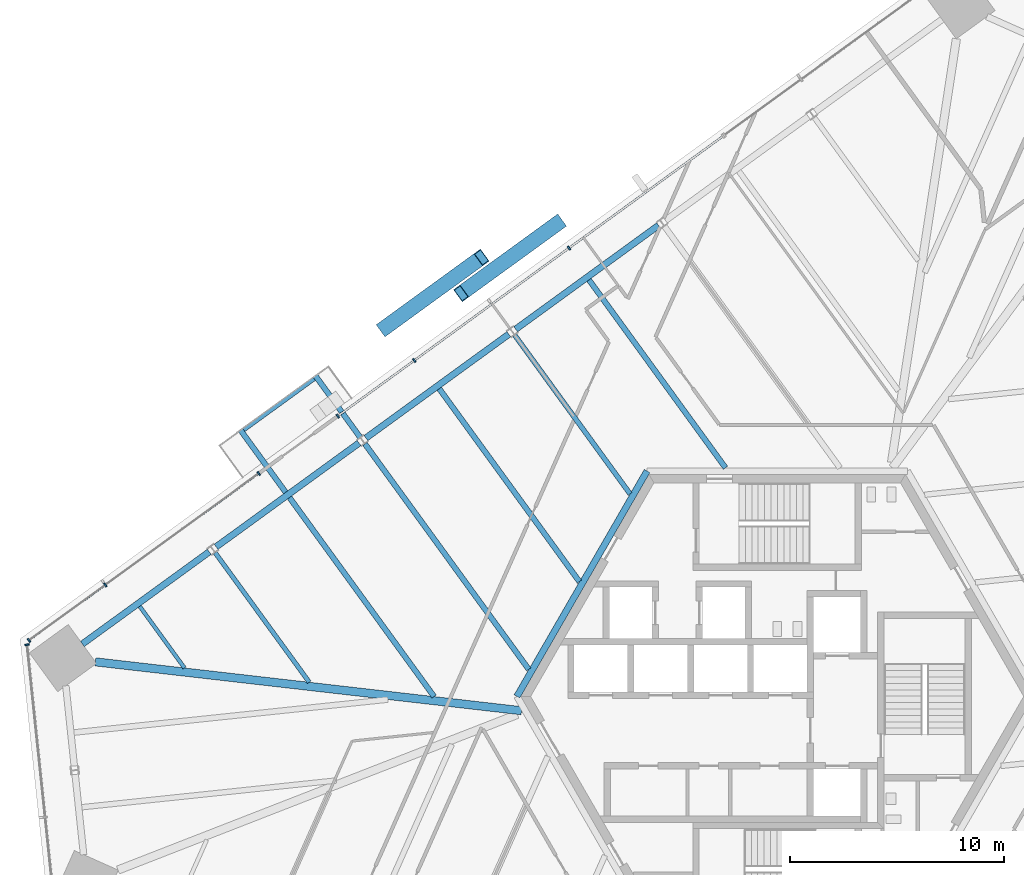
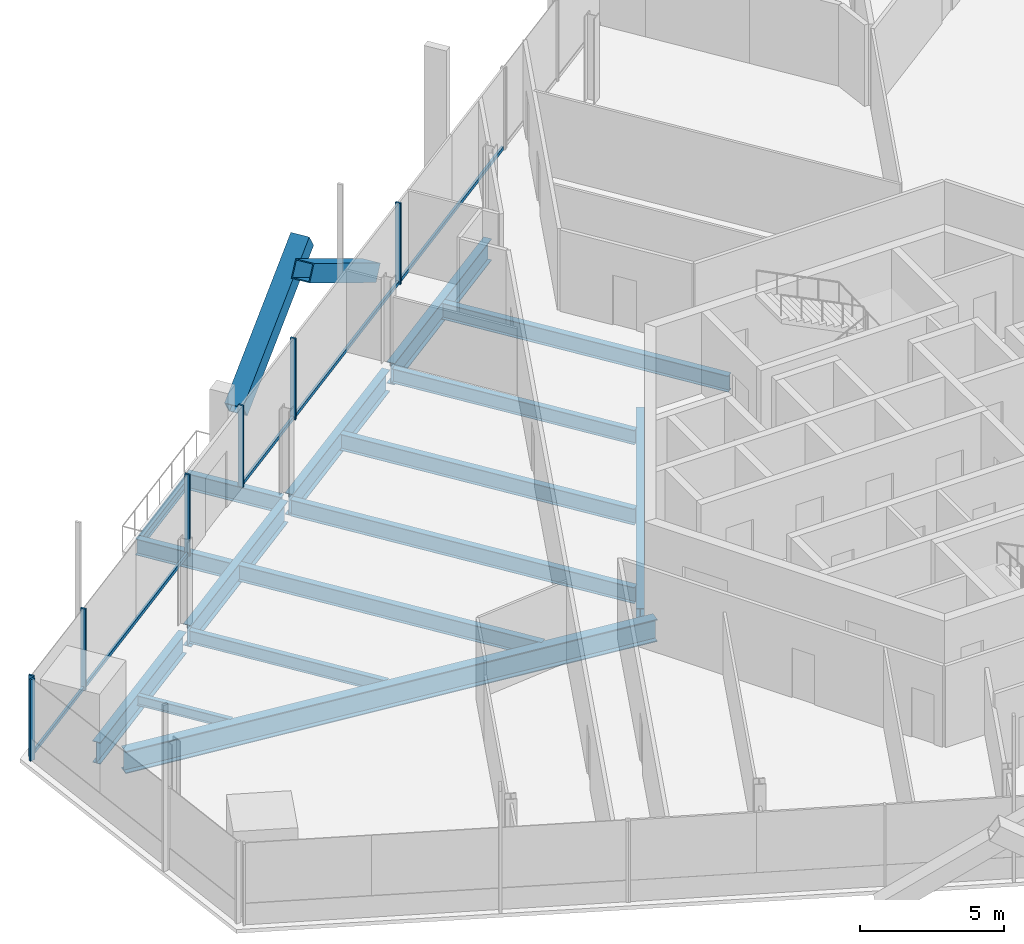
# One storey, part 7 of 21: 16 beams, 14 members, 3 elements without a shape of their own.
"""IFC4 building model written with IfcOpenShell, lengths in metres."""

from ifc_helpers import new_model, si_unit, direction, frame, origin, origin_2d, place, context, subcontext, project, spatial, rectangle, hollow_rectangle, i_section, extrude, source, transform, mapped, material, material_profile, profile_set, type_object, element, aggregate, save


model = new_model("IFC4")

# Units and contexts
model_context = context("Model", 3, precision=1e-05, world=origin(), true_north=direction((0.0, 1.0)))
body_context = subcontext(model_context, "Body", "Model", "MODEL_VIEW")
ifc_project = project(units=[si_unit("LENGTHUNIT", "METRE"), si_unit("AREAUNIT", "SQUARE_METRE"), si_unit("VOLUMEUNIT", "CUBIC_METRE"), si_unit("PLANEANGLEUNIT", "RADIAN"), si_unit("MASSUNIT", "GRAM", prefix="KILO")], contexts=[model_context])

# Site, building, storey
site_placement = place(None, origin())
site = spatial("IfcSite", under=ifc_project, at=site_placement, CompositionType="ELEMENT")
building_placement = place(site_placement, origin())
building = spatial("IfcBuilding", under=site, at=building_placement, Name="Triune Harvest Tower", CompositionType="ELEMENT")
storey_placement = place(building_placement, frame((0.0, 0.0, 72.89990234375)))
storey = spatial("IfcBuildingStorey", under=building, at=storey_placement, Name="L17", CompositionType="ELEMENT", Elevation=72.89990234375)

# Curtain wall, member
ifc_material_1 = material(Name="Aluminium bronze anodised", Category="aluminium")
curtain_wall_type_1 = type_object("IfcCurtainWallType", Name="CW-10 Balcony window wall with insulated spandrel infill", PredefinedType="NOTDEFINED", material=ifc_material_1)
curtain_wall_1_placement = place(storey_placement, origin())
curtain_wall_1 = element("IfcCurtainWall", 1, at=curtain_wall_1_placement, inside=storey, type_object=curtain_wall_type_1, Name="CW-10 B2-F3 L17 run 1001")
ifc_material_2 = material(Name="Aluminium bronze anodised", Category="aluminium")
ifc_material_profile_1 = material_profile(ifc_material_2, rectangle(XDim=0.090087890625, YDim=0.14990234375, at=origin_2d()), Name="TR-6 transom 90 x 150")
ifc_profile_set_1 = profile_set([ifc_material_profile_1], Name="Aluminium bronze anodised")
member_type_1 = type_object("IfcMemberType", Name="TR-6 transom 90 x 150", PredefinedType="USERDEFINED", material=ifc_profile_set_1)
member_1_placement = place(storey_placement, frame((-9.77001953125, 20.95751953125, 0.0751953125), z_axis=(-0.809016772432, -0.58778555777, 0.0), x_axis=(0.58778555777, -0.809016772432, 0.0)))
member_1 = element("IfcMember", 2, at=member_1_placement, type_object=member_type_1, Name="CW-10 transom B2-F3 1001.2", ObjectType="TRANSOM", PredefinedType="USERDEFINED", context=body_context, shape_type="SweptSolid", body=[
    extrude(rectangle(XDim=0.090087890625, YDim=0.14990234375, at=origin_2d()), origin(), (0.0, 0.0, 1.0), 8.873779296875),
])

ifc_material_3 = material(Name="Aluminium bronze anodised", Category="aluminium")
curtain_wall_type_2 = type_object("IfcCurtainWallType", Name="CW-6 Balcony window wall", PredefinedType="NOTDEFINED", material=ifc_material_3)
curtain_wall_2_placement = place(storey_placement, origin())
curtain_wall_2 = element("IfcCurtainWall", 3, at=curtain_wall_2_placement, inside=storey, type_object=curtain_wall_type_2, Name="CW-6 B2-F3 L17 run 2")
member_2_placement = place(storey_placement, frame((-31.4677734375, 5.193359375, 0.0751953125), z_axis=(-0.809008266699, -0.587797264721, 0.0), x_axis=(0.587797264721, -0.809008266699, 0.0)))
member_2 = element("IfcMember", 4, at=member_2_placement, type_object=member_type_1, Name="CW-6 transom B2-F3 2.2", ObjectType="TRANSOM", PredefinedType="USERDEFINED", context=body_context, shape_type="SweptSolid", body=[
    extrude(rectangle(XDim=0.090087890625, YDim=0.14990234375, at=origin_2d()), origin(), (0.0, 0.0, 1.0), 4.3427734375),
])

# Beams
ifc_material_4 = material(Name="Steel ASTM A992 Gr 50", Category="steel")
ifc_material_profile_2 = material_profile(ifc_material_4, i_section(OverallWidth=0.3046875, OverallDepth=0.914306640625, WebThickness=0.0166015625, FlangeThickness=0.02587890625, at=origin_2d()), Name="W36x160")
ifc_profile_set_2 = profile_set([ifc_material_profile_2], Name="Steel ASTM A992 Gr 50")
beam_type_1 = type_object("IfcBeamType", Name="CG-1 Core ring girder W36x160", PredefinedType="BEAM", material=ifc_profile_set_2)
shared_shape_1 = source(origin(), body_context, "Body", "SweptSolid", [
    extrude(i_section(OverallWidth=0.3046875, OverallDepth=0.914306640625, WebThickness=0.0166015625, FlangeThickness=0.02587890625, at=origin_2d()), origin(), (0.0, 0.0, 1.0), 12.176025390625),
])
beam_1_placement = place(storey_placement, frame((-6.087890625, 10.544677734375, -0.6171875), z_axis=(-0.5000099932, -0.866019634131, 0.0), x_axis=(0.866019634131, -0.5000099932, 0.0)))
element("IfcBeam", 5, at=beam_1_placement, inside=storey, type_object=beam_type_1, Name="beam/L17/CG3", PredefinedType="BEAM", context=body_context, shape_type="MappedRepresentation", body=[
    mapped(shared_shape_1, transform((0.0, 0.0, 0.0), scale=1.0)),
])
ifc_material_5 = material(Name="Steel ASTM A992 Gr 50", Category="steel")
ifc_material_profile_3 = material_profile(ifc_material_5, i_section(OverallWidth=0.3046875, OverallDepth=0.914306640625, WebThickness=0.0166015625, FlangeThickness=0.02587890625, at=origin_2d()), Name="W36x160")
ifc_profile_set_3 = profile_set([ifc_material_profile_3], Name="Steel ASTM A992 Gr 50")
beam_type_2 = type_object("IfcBeamType", Name="SB-1 Spandrel beam W36x160", PredefinedType="SPANDREL", material=ifc_profile_set_3)
shared_shape_2 = source(origin(), body_context, "Body", "SweptSolid", [
    extrude(i_section(OverallWidth=0.3046875, OverallDepth=0.914306640625, WebThickness=0.0166015625, FlangeThickness=0.02587890625, at=origin_2d()), origin(), (0.0, 0.0, 1.0), 7.337890625),
])
beam_2_placement = place(storey_placement, frame((-26.574951171875, 6.763916015625, -0.6171875), z_axis=(-0.80902661548, -0.58777200975, 0.0), x_axis=(0.58777200975, -0.80902661548, 0.0)))
element("IfcBeam", 6, at=beam_2_placement, inside=storey, type_object=beam_type_2, Name="beam/L17/SB14", PredefinedType="SPANDREL", context=body_context, shape_type="MappedRepresentation", body=[
    mapped(shared_shape_2, transform((0.0, 0.0, 0.0), scale=1.0)),
])
shared_shape_3 = source(origin(), body_context, "Body", "SweptSolid", [
    extrude(i_section(OverallWidth=0.3046875, OverallDepth=0.914306640625, WebThickness=0.0166015625, FlangeThickness=0.02587890625, at=origin_2d()), origin(), (0.0, 0.0, 1.0), 8.263427734375),
])
for number, where, z_axis, x_axis, name in (
    (7, (-5.55126953125, 22.03857421875, -0.6171875), (-0.809015786763, -0.587786914424, 0.0), (0.587786914424, -0.809015786763, 0.0), "beam/L17/SB11"),
    (8, (-12.55908203125, 16.947021484375, -0.6171875), (-0.809015786763, -0.587786914424, 0.0), (0.587786914424, -0.809015786763, 0.0), "beam/L17/SB12"),
    (9, (-19.56689453125, 11.85546875, -0.6171875), (-0.809015786763, -0.587786914424, 0.0), (0.587786914424, -0.809015786763, 0.0), "beam/L17/SB13"),
):
    element("IfcBeam", number, at=place(storey_placement, frame(where, z_axis=z_axis, x_axis=x_axis)), inside=storey, type_object=beam_type_2, Name=name, PredefinedType="SPANDREL", context=body_context, shape_type="MappedRepresentation", body=[
        mapped(shared_shape_3, transform((0.0, 0.0, 0.0), scale=1.0)),
    ])
ifc_material_6 = material(Name="Steel ASTM A992 Gr 50", Category="steel")
ifc_material_profile_4 = material_profile(ifc_material_6, i_section(OverallWidth=0.383544921875, OverallDepth=0.9423828125, WebThickness=0.022216796875, FlangeThickness=0.039794921875, at=origin_2d()), Name="W36x232")
ifc_profile_set_4 = profile_set([ifc_material_profile_4], Name="Steel ASTM A992 Gr 50")
beam_type_3 = type_object("IfcBeamType", Name="HG-1 Hip girder W36x232", PredefinedType="BEAM", material=ifc_profile_set_4)
shared_shape_4 = source(origin(), body_context, "Body", "SweptSolid", [
    extrude(i_section(OverallWidth=0.383544921875, OverallDepth=0.9423828125, WebThickness=0.022216796875, FlangeThickness=0.039794921875, at=origin_2d()), origin(), (0.0, 0.0, 1.0), 20.070556640625),
])
beam_3_placement = place(storey_placement, frame((-31.904541015625, 1.61572265625, -0.631103515625), z_axis=(0.993487545287, -0.113940762503, 0.0), x_axis=(0.113940762503, 0.993487545287, 0.0)))
element("IfcBeam", 10, at=beam_3_placement, inside=storey, type_object=beam_type_3, Name="beam/L17/HG5", PredefinedType="BEAM", context=body_context, shape_type="MappedRepresentation", body=[
    mapped(shared_shape_4, transform((0.0, 0.0, 0.0), scale=1.0)),
])
ifc_material_7 = material(Name="Steel ASTM A992 Gr 50", Category="steel")
ifc_material_profile_5 = material_profile(ifc_material_7, i_section(OverallWidth=0.22900390625, OverallDepth=0.612060546875, WebThickness=0.011962890625, FlangeThickness=0.01953125, at=origin_2d()), Name="W24x84")
ifc_profile_set_5 = profile_set([ifc_material_profile_5], Name="Steel ASTM A992 Gr 50")
beam_type_4 = type_object("IfcBeamType", Name="JT-3 Floor joist W24x84", PredefinedType="JOIST", material=ifc_profile_set_5)
shared_shape_5 = source(origin(), body_context, "Body", "SweptSolid", [
    extrude(i_section(OverallWidth=0.22900390625, OverallDepth=0.612060546875, WebThickness=0.011962890625, FlangeThickness=0.01953125, at=origin_2d()), origin(), (0.0, 0.0, 1.0), 9.186279296875),
])
beam_4_placement = place(storey_placement, frame((-12.2822265625, 16.905029296875, -0.466064453125), z_axis=(0.58779079947, -0.809012964085, 0.0), x_axis=(0.809012964085, 0.58779079947, 0.0)))
element("IfcBeam", 11, at=beam_4_placement, inside=storey, type_object=beam_type_4, Name="beam/L17/JT19", PredefinedType="JOIST", context=body_context, shape_type="MappedRepresentation", body=[
    mapped(shared_shape_5, transform((0.0, 0.0, 0.0), scale=1.0)),
])
ifc_material_8 = material(Name="Steel ASTM A992 Gr 50", Category="steel")
ifc_material_profile_6 = material_profile(ifc_material_8, i_section(OverallWidth=0.253662109375, OverallDepth=0.683349609375, WebThickness=0.012451171875, FlangeThickness=0.01904296875, at=origin_2d()), Name="W27x94")
ifc_profile_set_6 = profile_set([ifc_material_profile_6], Name="Steel ASTM A992 Gr 50")
beam_type_5 = type_object("IfcBeamType", Name="JT-4 Floor joist W27x94", PredefinedType="JOIST", material=ifc_profile_set_6)
shared_shape_6 = source(origin(), body_context, "Body", "SweptSolid", [
    extrude(i_section(OverallWidth=0.253662109375, OverallDepth=0.683349609375, WebThickness=0.012451171875, FlangeThickness=0.01904296875, at=origin_2d()), origin(), (0.0, 0.0, 1.0), 11.158935546875),
])
beam_5_placement = place(storey_placement, frame((-15.812255859375, 14.395263671875, -0.50146484375), z_axis=(0.58778396925, -0.809017926558, 0.0), x_axis=(0.809017926558, 0.58778396925, 0.0)))
element("IfcBeam", 12, at=beam_5_placement, inside=storey, type_object=beam_type_5, Name="beam/L17/JT20", PredefinedType="JOIST", context=body_context, shape_type="MappedRepresentation", body=[
    mapped(shared_shape_6, transform((0.0, 0.0, 0.0), scale=1.0)),
])
shared_shape_7 = source(origin(), body_context, "Body", "SweptSolid", [
    extrude(i_section(OverallWidth=0.253662109375, OverallDepth=0.683349609375, WebThickness=0.012451171875, FlangeThickness=0.01904296875, at=origin_2d()), origin(), (0.0, 0.0, 1.0), 10.86474609375),
])
beam_6_placement = place(storey_placement, frame((-8.804443359375, 19.48681640625, -0.50146484375), z_axis=(0.587789508047, -0.809013902371, 0.0), x_axis=(0.809013902371, 0.587789508047, 0.0)))
element("IfcBeam", 13, at=beam_6_placement, inside=storey, type_object=beam_type_5, Name="beam/L17/JT18", PredefinedType="JOIST", context=body_context, shape_type="MappedRepresentation", body=[
    mapped(shared_shape_7, transform((0.0, 0.0, 0.0), scale=1.0)),
])
shared_shape_8 = source(origin(), body_context, "Body", "SweptSolid", [
    extrude(i_section(OverallWidth=0.253662109375, OverallDepth=0.683349609375, WebThickness=0.012451171875, FlangeThickness=0.01904296875, at=origin_2d()), origin(), (0.0, 0.0, 1.0), 13.042724609375),
])
beam_7_placement = place(storey_placement, frame((-19.2900390625, 11.8134765625, -0.50146484375), z_axis=(0.587795444635, -0.809009589107, 0.0), x_axis=(0.809009589107, 0.587795444635, 0.0)))
element("IfcBeam", 14, at=beam_7_placement, inside=storey, type_object=beam_type_5, Name="beam/L17/JT21", PredefinedType="JOIST", context=body_context, shape_type="MappedRepresentation", body=[
    mapped(shared_shape_8, transform((0.0, 0.0, 0.0), scale=1.0)),
])
shared_shape_9 = source(origin(), body_context, "Body", "SweptSolid", [
    extrude(i_section(OverallWidth=0.253662109375, OverallDepth=0.683349609375, WebThickness=0.012451171875, FlangeThickness=0.01904296875, at=origin_2d()), origin(), (0.0, 0.0, 1.0), 11.511474609375),
])
beam_8_placement = place(storey_placement, frame((-22.820068359375, 9.3037109375, -0.50146484375), z_axis=(0.587775656534, -0.809023966015, 0.0), x_axis=(0.809023966015, 0.587775656534, 0.0)))
element("IfcBeam", 15, at=beam_8_placement, inside=storey, type_object=beam_type_5, Name="beam/L17/JT22", PredefinedType="JOIST", context=body_context, shape_type="MappedRepresentation", body=[
    mapped(shared_shape_9, transform((0.0, 0.0, 0.0), scale=1.0)),
])
ifc_material_9 = material(Name="Steel ASTM A992 Gr 50", Category="steel")
ifc_material_profile_7 = material_profile(ifc_material_9, i_section(OverallWidth=0.2099609375, OverallDepth=0.535888671875, WebThickness=0.010986328125, FlangeThickness=0.017333984375, at=origin_2d()), Name="W21x68")
ifc_profile_set_7 = profile_set([ifc_material_profile_7], Name="Steel ASTM A992 Gr 50")
beam_type_6 = type_object("IfcBeamType", Name="JT-2 Floor joist W21x68", PredefinedType="JOIST", material=ifc_profile_set_7)
shared_shape_10 = source(origin(), body_context, "Body", "SweptSolid", [
    extrude(i_section(OverallWidth=0.2099609375, OverallDepth=0.535888671875, WebThickness=0.010986328125, FlangeThickness=0.017333984375, at=origin_2d()), origin(), (0.0, 0.0, 1.0), 7.4921875),
])
beam_9_placement = place(storey_placement, frame((-26.2978515625, 6.721923828125, -0.427978515625), z_axis=(0.587787996274, -0.809015000748, 0.0), x_axis=(0.809015000748, 0.587787996274, 0.0)))
element("IfcBeam", 16, at=beam_9_placement, inside=storey, type_object=beam_type_6, Name="beam/L17/JT23", PredefinedType="JOIST", context=body_context, shape_type="MappedRepresentation", body=[
    mapped(shared_shape_10, transform((0.0, 0.0, 0.0), scale=1.0)),
])
ifc_material_10 = material(Name="Steel ASTM A992 Gr 50", Category="steel")
ifc_material_profile_8 = material_profile(ifc_material_10, i_section(OverallWidth=0.180908203125, OverallDepth=0.41650390625, WebThickness=0.010986328125, FlangeThickness=0.01806640625, at=origin_2d()), Name="W16x57")
ifc_profile_set_8 = profile_set([ifc_material_profile_8], Name="Steel ASTM A992 Gr 50")
beam_type_7 = type_object("IfcBeamType", Name="JT-1 Floor joist W16x57", PredefinedType="JOIST", material=ifc_profile_set_8)
shared_shape_11 = source(origin(), body_context, "Body", "SweptSolid", [
    extrude(i_section(OverallWidth=0.180908203125, OverallDepth=0.41650390625, WebThickness=0.010986328125, FlangeThickness=0.01806640625, at=origin_2d()), origin(), (0.0, 0.0, 1.0), 3.561767578125),
])
beam_10_placement = place(storey_placement, frame((-29.827880859375, 4.212158203125, -0.3681640625), z_axis=(0.587768138852, -0.80902942774, 0.0), x_axis=(0.80902942774, 0.587768138852, 0.0)))
element("IfcBeam", 17, at=beam_10_placement, inside=storey, type_object=beam_type_7, Name="beam/L17/JT24", PredefinedType="JOIST", context=body_context, shape_type="MappedRepresentation", body=[
    mapped(shared_shape_11, transform((0.0, 0.0, 0.0), scale=1.0)),
])

# Members
ifc_material_11 = material(Name="Steel ASTM A572 Gr 50", Category="steel")
ifc_material_profile_9 = material_profile(ifc_material_11, hollow_rectangle(XDim=0.699951171875, YDim=0.699951171875, WallThickness=0.0400390625, at=origin_2d()), Name="Box 700x700x40")
ifc_profile_set_9 = profile_set([ifc_material_profile_9], Name="Steel ASTM A572 Gr 50")
member_type_2 = type_object("IfcMemberType", Name="BR-1 Brace Box 700x700x40", PredefinedType="BRACE", material=ifc_profile_set_9)
shared_shape_12 = source(origin(), body_context, "Body", "SweptSolid", [
    extrude(hollow_rectangle(XDim=0.699951171875, YDim=0.699951171875, WallThickness=0.0400390625, at=origin_2d()), origin(), (0.0, 0.0, 1.0), 6.7021484375),
])
for number, where, z_axis, x_axis, name in (
    (18, (-10.21630859375, 22.178466796875, 0.0), (-0.682415254562, -0.495765539371, 0.537146116353), (0.587755637763, -0.809038509762, 0.0), "brace/B2-F3/d1/5"),
    (19, (-18.40625, 17.21728515625, 0.0), (0.682415254562, 0.495765539371, 0.537146116353), (-0.587755637763, 0.809038509762, 0.0), "brace/B2-F3/d2/5"),
):
    element("IfcMember", number, at=place(storey_placement, frame(where, z_axis=z_axis, x_axis=x_axis)), inside=storey, type_object=member_type_2, Name=name, PredefinedType="BRACE", context=body_context, shape_type="MappedRepresentation", body=[
        mapped(shared_shape_12, transform((0.0, 0.0, 0.0), scale=1.0)),
    ])

# Member
shared_shape_13 = source(origin(), body_context, "Body", "SweptSolid", [
    extrude(rectangle(XDim=0.090087890625, YDim=0.14990234375, at=origin_2d()), origin(), (0.0, 0.0, 1.0), 8.798583984375),
])
member_3_placement = place(storey_placement, frame((-24.288818359375, 10.4091796875, 0.0751953125), z_axis=(-0.809017970092, -0.587783909331, 0.0), x_axis=(0.587783909331, -0.809017970092, 0.0)))
member_3 = element("IfcMember", 20, at=member_3_placement, type_object=member_type_1, Name="CW-6 transom B2-F3 2.1", ObjectType="TRANSOM", PredefinedType="USERDEFINED", context=body_context, shape_type="MappedRepresentation", body=[
    mapped(shared_shape_13, transform((0.0, 0.0, 0.0), scale=1.0)),
])

shared_shape_14 = source(origin(), body_context, "Body", "SweptSolid", [
    extrude(rectangle(XDim=0.090087890625, YDim=0.14990234375, at=origin_2d()), origin(), (0.0, 0.0, 1.0), 8.836181640625),
])
member_4_placement = place(storey_placement, frame((-2.560791015625, 26.1953125, 0.0751953125), z_axis=(-0.809028710867, -0.587769125586, 0.0), x_axis=(0.587769125586, -0.809028710867, 0.0)))
member_4 = element("IfcMember", 21, at=member_4_placement, type_object=member_type_1, Name="CW-10 transom B2-F3 1001.1", ObjectType="TRANSOM", PredefinedType="USERDEFINED", context=body_context, shape_type="MappedRepresentation", body=[
    mapped(shared_shape_14, transform((0.0, 0.0, 0.0), scale=1.0)),
])

# Beams
ifc_material_12 = material(Name="Steel ASTM A992 Gr 50", Category="steel")
ifc_material_profile_10 = material_profile(ifc_material_12, i_section(OverallWidth=0.253662109375, OverallDepth=0.683349609375, WebThickness=0.012451171875, FlangeThickness=0.01904296875, at=origin_2d()), Name="W27x94")
ifc_profile_set_10 = profile_set([ifc_material_profile_10], Name="Steel ASTM A992 Gr 50")
beam_type_8 = type_object("IfcBeamType", Name="BJ-4 Balcony cantilever joist W27x94", PredefinedType="JOIST", material=ifc_profile_set_10)
shared_shape_15 = source(origin(), body_context, "Body", "SweptSolid", [
    extrude(i_section(OverallWidth=0.253662109375, OverallDepth=0.683349609375, WebThickness=0.012451171875, FlangeThickness=0.01904296875, at=origin_2d()), origin(), (0.0, 0.0, 1.0), 3.597412109375),
])
for number, where, z_axis, x_axis, name in (
    (22, (-22.999267578125, 9.55029296875, -0.50146484375), (-0.587780211851, 0.809020656446, 0.0), (-0.809020656446, -0.587780211851, 0.0), "Balcony cantilever joist B2-F3 L17.9a"),
    (23, (-19.495361328125, 12.095947265625, -0.50146484375), (-0.587780211851, 0.809020656446, 0.0), (-0.809020656446, -0.587780211851, 0.0), "Balcony cantilever joist B2-F3 L17.9b"),
):
    element("IfcBeam", number, at=place(storey_placement, frame(where, z_axis=z_axis, x_axis=x_axis)), inside=storey, type_object=beam_type_8, Name=name, PredefinedType="JOIST", context=body_context, shape_type="MappedRepresentation", body=[
        mapped(shared_shape_15, transform((0.0, 0.0, 0.0), scale=1.0)),
    ])

# Curtain wall, member
ifc_material_13 = material(Name="Aluminium bronze anodised", Category="aluminium")
curtain_wall_type_3 = type_object("IfcCurtainWallType", Name="CW-1 Tower stick curtain wall", PredefinedType="NOTDEFINED", material=ifc_material_13)
curtain_wall_3_placement = place(storey_placement, origin())
curtain_wall_3 = element("IfcCurtainWall", 24, at=curtain_wall_3_placement, inside=storey, type_object=curtain_wall_type_3, Name="CW-1 B2-F4 L17 run 1")
ifc_material_14 = material(Name="Aluminium bronze anodised", Category="aluminium")
ifc_material_profile_11 = material_profile(ifc_material_14, rectangle(XDim=0.199951171875, YDim=0.074951171875, at=origin_2d()), Name="MU-1 mullion 75 x 200")
ifc_profile_set_11 = profile_set([ifc_material_profile_11], Name="Aluminium bronze anodised")
member_type_3 = type_object("IfcMemberType", Name="MU-1 mullion 75 x 200", PredefinedType="MULLION", material=ifc_profile_set_11)
shared_shape_16 = source(origin(), body_context, "Body", "SweptSolid", [
    extrude(rectangle(XDim=0.199951171875, YDim=0.074951171875, at=origin_2d()), origin(), (0.0, 0.0, 1.0), 3.440185546875),
])
member_5_placement = place(storey_placement, frame((-35.1015625, 2.416748046875, 0.0), z_axis=(0.0, 0.0, 1.0), x_axis=(0.994521790334, 0.104529462601, 0.0)))
member_5 = element("IfcMember", 25, at=member_5_placement, type_object=member_type_3, Name="CW-1 mullion B2-F4 1.1", PredefinedType="MULLION", context=body_context, shape_type="MappedRepresentation", body=[
    mapped(shared_shape_16, transform((0.0, 0.0, 0.0), scale=1.0)),
])
aggregate(curtain_wall_3, [member_5])

# Member
ifc_material_15 = material(Name="Aluminium bronze anodised", Category="aluminium")
ifc_material_profile_12 = material_profile(ifc_material_15, rectangle(XDim=0.199951171875, YDim=0.074951171875, at=origin_2d()), Name="MU-6 mullion 75 x 200")
ifc_profile_set_12 = profile_set([ifc_material_profile_12], Name="Aluminium bronze anodised")
member_type_4 = type_object("IfcMemberType", Name="MU-6 mullion 75 x 200", PredefinedType="MULLION", material=ifc_profile_set_12)
shared_shape_17 = source(origin(), body_context, "Body", "SweptSolid", [
    extrude(rectangle(XDim=0.199951171875, YDim=0.074951171875, at=origin_2d()), origin(), (0.0, 0.0, 1.0), 3.440185546875),
])
member_6_placement = place(storey_placement, frame((-9.73974609375, 20.979736328125, 0.0), z_axis=(0.0, 0.0, 1.0), x_axis=(0.58778545082, -0.809016850136, 0.0)))
member_6 = element("IfcMember", 26, at=member_6_placement, type_object=member_type_4, Name="CW-10 mullion B2-F3 1001.3", PredefinedType="MULLION", context=body_context, shape_type="MappedRepresentation", body=[
    mapped(shared_shape_17, transform((0.0, 0.0, 0.0), scale=1.0)),
])

member_7_placement = place(storey_placement, frame((-16.9794921875, 15.7197265625, 0.0), z_axis=(0.0, 0.0, 1.0), x_axis=(0.58778545082, -0.809016850136, 0.0)))
member_7 = element("IfcMember", 27, at=member_7_placement, type_object=member_type_4, Name="CW-10 mullion B2-F3 1001.5", PredefinedType="MULLION", context=body_context, shape_type="MappedRepresentation", body=[
    mapped(shared_shape_17, transform((0.0, 0.0, 0.0), scale=1.0)),
])

member_8_placement = place(storey_placement, frame((-20.56884765625, 13.11181640625, 0.0), z_axis=(0.0, 0.0, 1.0), x_axis=(0.58778545082, -0.809016850136, 0.0)))
member_8 = element("IfcMember", 28, at=member_8_placement, type_object=member_type_4, Name="CW-10 mullion B2-F3 1001.6", PredefinedType="MULLION", context=body_context, shape_type="MappedRepresentation", body=[
    mapped(shared_shape_17, transform((0.0, 0.0, 0.0), scale=1.0)),
])

member_9_placement = place(storey_placement, frame((-24.258544921875, 10.43115234375, 0.0), z_axis=(0.0, 0.0, 1.0), x_axis=(0.587785226043, -0.809017013446, 0.0)))
member_9 = element("IfcMember", 29, at=member_9_placement, type_object=member_type_4, Name="CW-6 mullion B2-F3 2.1", PredefinedType="MULLION", context=body_context, shape_type="MappedRepresentation", body=[
    mapped(shared_shape_17, transform((0.0, 0.0, 0.0), scale=1.0)),
])

member_10_placement = place(storey_placement, frame((-31.437255859375, 5.21533203125, 0.0), z_axis=(0.0, 0.0, 1.0), x_axis=(0.587785226043, -0.809017013446, 0.0)))
member_10 = element("IfcMember", 30, at=member_10_placement, type_object=member_type_4, Name="CW-6 mullion B2-F3 2.3", PredefinedType="MULLION", context=body_context, shape_type="MappedRepresentation", body=[
    mapped(shared_shape_17, transform((0.0, 0.0, 0.0), scale=1.0)),
])

member_11_placement = place(storey_placement, frame((-35.01171875, 2.61865234375, 0.0), z_axis=(0.0, 0.0, 1.0), x_axis=(0.587785226043, -0.809017013446, 0.0)))
member_11 = element("IfcMember", 31, at=member_11_placement, type_object=member_type_4, Name="CW-6 mullion B2-F3 2.4", PredefinedType="MULLION", context=body_context, shape_type="MappedRepresentation", body=[
    mapped(shared_shape_17, transform((0.0, 0.0, 0.0), scale=1.0)),
])

aggregate(curtain_wall_2, [member_9, member_10, member_11, member_3, member_2])

shared_shape_18 = source(origin(), body_context, "Body", "SweptSolid", [
    extrude(rectangle(XDim=0.090087890625, YDim=0.14990234375, at=origin_2d()), origin(), (0.0, 0.0, 1.0), 4.36181640625),
])
member_12_placement = place(storey_placement, frame((-17.009765625, 15.69775390625, 0.0751953125), z_axis=(-0.809002241028, -0.587805557996, 0.0), x_axis=(0.587805557996, -0.809002241028, 0.0)))
member_12 = element("IfcMember", 32, at=member_12_placement, type_object=member_type_1, Name="CW-10 transom B2-F3 1001.3", ObjectType="TRANSOM", PredefinedType="USERDEFINED", context=body_context, shape_type="MappedRepresentation", body=[
    mapped(shared_shape_18, transform((0.0, 0.0, 0.0), scale=1.0)),
])

aggregate(curtain_wall_1, [member_6, member_7, member_8, member_4, member_1, member_12])

# Beam
ifc_material_16 = material(Name="Steel ASTM A992 Gr 50", Category="steel")
ifc_material_profile_13 = material_profile(ifc_material_16, i_section(OverallWidth=0.180908203125, OverallDepth=0.41650390625, WebThickness=0.010986328125, FlangeThickness=0.01806640625, at=origin_2d()), Name="W16x57")
ifc_profile_set_13 = profile_set([ifc_material_profile_13], Name="Steel ASTM A992 Gr 50")
beam_type_9 = type_object("IfcBeamType", Name="BE-1 balcony edge beam W16x57", PredefinedType="BEAM", material=ifc_profile_set_13)
shared_shape_19 = source(origin(), body_context, "Body", "SweptSolid", [
    extrude(i_section(OverallWidth=0.180908203125, OverallDepth=0.41650390625, WebThickness=0.010986328125, FlangeThickness=0.01806640625, at=origin_2d()), origin(), (0.0, 0.0, 1.0), 4.0771484375),
])
beam_11_placement = place(storey_placement, frame((-24.9580078125, 12.462158203125, -0.3681640625), z_axis=(0.809025994853, 0.587772863998, 0.0), x_axis=(-0.587772863998, 0.809025994853, 0.0)))
element("IfcBeam", 33, at=beam_11_placement, inside=storey, type_object=beam_type_9, Name="Balcony edge beam B2-F3 L17.9", PredefinedType="BEAM", context=body_context, shape_type="MappedRepresentation", body=[
    mapped(shared_shape_19, transform((0.0, 0.0, 0.0), scale=1.0)),
])

save(model, "model.ifc")
